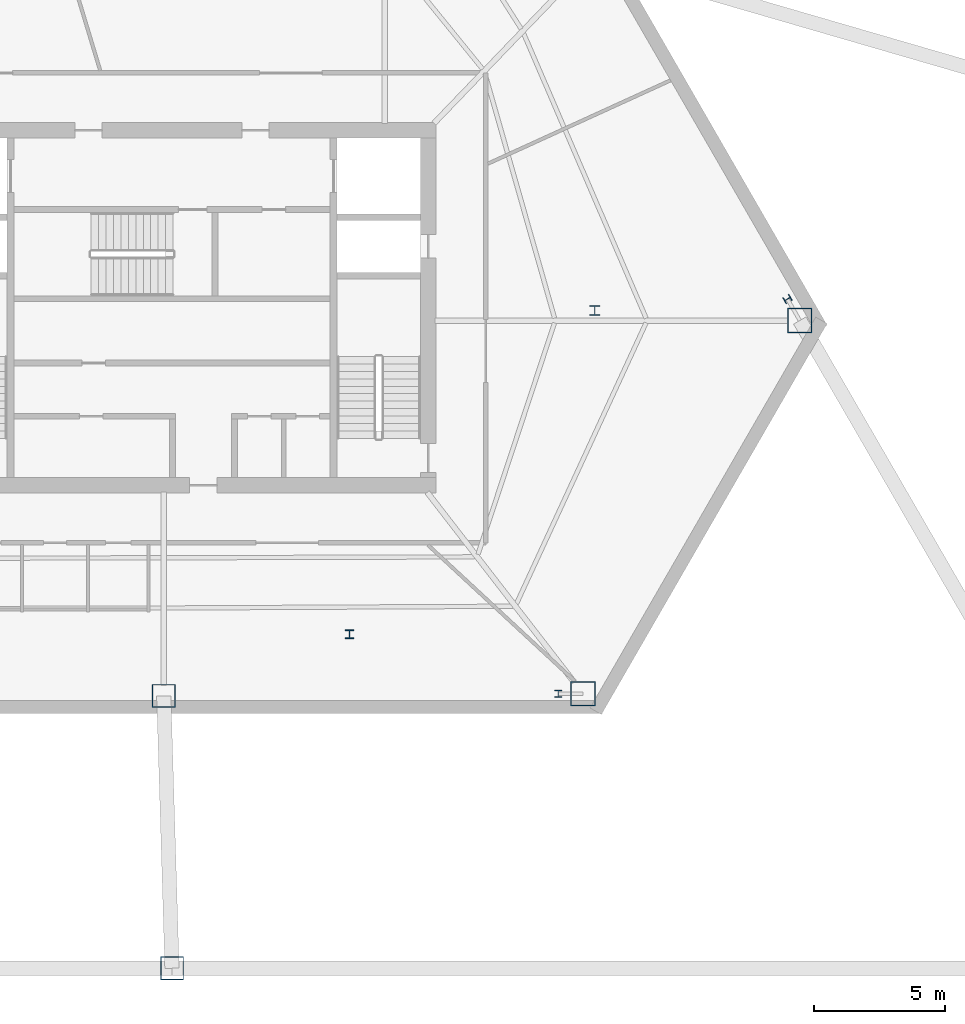
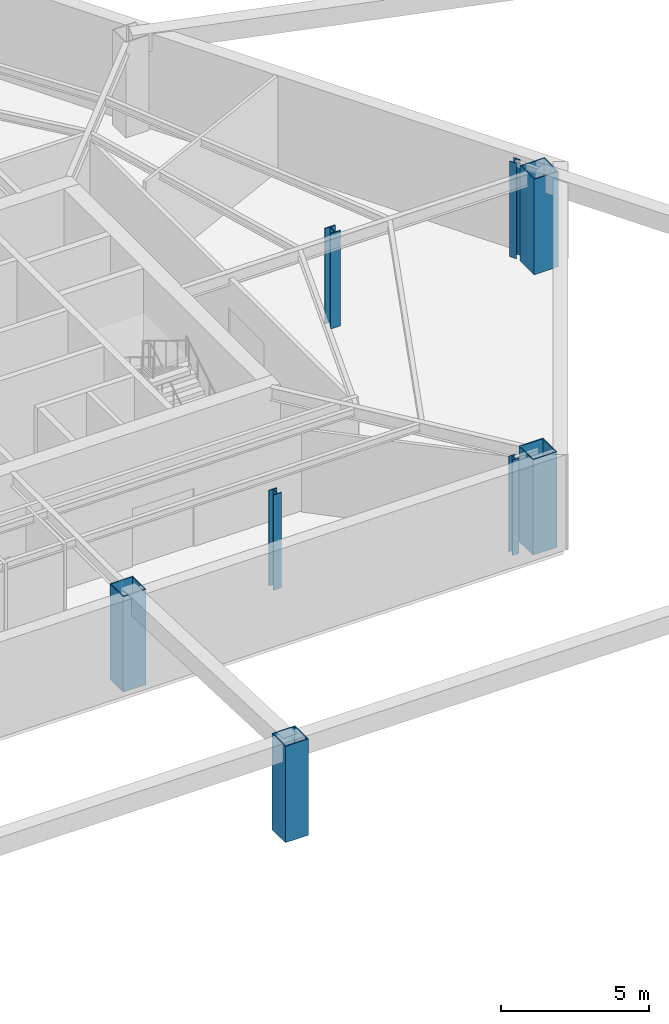
# One storey, part 2 of 8: 8 columns.
"""IFC4 building model written with IfcOpenShell, lengths in metres."""

from ifc_helpers import new_model, si_unit, direction, frame, origin, origin_2d, place, context, subcontext, project, spatial, hollow_rectangle, i_section, extrude, material, material_profile, profile_set, type_object, element, save


model = new_model("IFC4")

# Units and contexts
model_context = context("Model", 3, precision=1e-05, world=origin(), true_north=direction((0.0, 1.0)))
body_context = subcontext(model_context, "Body", "Model", "MODEL_VIEW")
ifc_project = project(units=[si_unit("LENGTHUNIT", "METRE"), si_unit("AREAUNIT", "SQUARE_METRE"), si_unit("VOLUMEUNIT", "CUBIC_METRE"), si_unit("PLANEANGLEUNIT", "RADIAN"), si_unit("MASSUNIT", "GRAM", prefix="KILO")], contexts=[model_context])

# Site, building, storey
site_placement = place(None, origin())
site = spatial("IfcSite", under=ifc_project, at=site_placement, CompositionType="ELEMENT")
building_placement = place(site_placement, origin())
building = spatial("IfcBuilding", under=site, at=building_placement, Name="Kavelnor Concourse Tower", CompositionType="ELEMENT")
storey_placement = place(building_placement, frame((0.0, 0.0, -4.199951171875)))
storey = spatial("IfcBuildingStorey", under=building, at=storey_placement, Name="B01", CompositionType="ELEMENT", Elevation=-4.199951171875)

# Columns
ifc_material = material(Name="Steel Grade 350", Category="steel")
ifc_material_profile_1 = material_profile(ifc_material, i_section(OverallWidth=0.31396484375, OverallDepth=0.340087890625, WebThickness=0.01904296875, FlangeThickness=0.031494140625, at=origin_2d()), Name="UC 305x305x198")
ifc_profile_set_1 = profile_set([ifc_material_profile_1], Name="Steel Grade 350")
column_type_1 = type_object("IfcColumnType", Name="COL-INT-UC305", PredefinedType="COLUMN", material=ifc_profile_set_1)
column_1_placement = place(storey_placement, frame((44.800048828125, 3.60009765625, 0.0), z_axis=(0.0, 0.0, 1.0), x_axis=(1.0, 0.0, 0.0)))
element("IfcColumn", 1, at=column_1_placement, inside=storey, type_object=column_type_1, Name="B01 Interior Column BC-SE", PredefinedType="COLUMN", context=body_context, shape_type="SweptSolid", body=[
    extrude(i_section(OverallWidth=0.31396484375, OverallDepth=0.340087890625, WebThickness=0.01904296875, FlangeThickness=0.031494140625, at=origin_2d()), origin(), (0.0, 0.0, 1.0), 3.93994140625),
])
ifc_material_profile_2 = material_profile(ifc_material, i_section(OverallWidth=0.39892578125, OverallDepth=0.39404296875, WebThickness=0.022705078125, FlangeThickness=0.03662109375, at=origin_2d()), Name="UC 356x406x287")
ifc_profile_set_2 = profile_set([ifc_material_profile_2], Name="Steel Grade 350")
column_type_2 = type_object("IfcColumnType", Name="COL-INT-UC406", PredefinedType="COLUMN", material=ifc_profile_set_2)
column_2_placement = place(storey_placement, frame((54.199951171875, 16.0, 0.0), z_axis=(0.0, 0.0, 1.0), x_axis=(1.0, 0.0, 0.0)))
element("IfcColumn", 2, at=column_2_placement, inside=storey, type_object=column_type_2, Name="B01 Interior Column BC-E1", PredefinedType="COLUMN", context=body_context, shape_type="SweptSolid", body=[
    extrude(i_section(OverallWidth=0.39892578125, OverallDepth=0.39404296875, WebThickness=0.022705078125, FlangeThickness=0.03662109375, at=origin_2d()), origin(), (0.0, 0.0, 1.0), 3.93994140625),
])
ifc_material_profile_3 = material_profile(ifc_material, hollow_rectangle(XDim=0.89990234375, YDim=0.89990234375, WallThickness=0.0380859375, at=origin_2d()), Name="SHS 900x900x38")
ifc_profile_set_3 = profile_set([ifc_material_profile_3], Name="Steel Grade 350")
column_type_3 = type_object("IfcColumnType", Name="COL-MEGA-900", PredefinedType="COLUMN", material=ifc_profile_set_3)
column_3_placement = place(storey_placement, frame((37.68505859375, 1.22998046875, 0.0), z_axis=(0.0, 0.0, 1.0), x_axis=(1.0, 0.0, 0.0)))
element("IfcColumn", 3, at=column_3_placement, inside=storey, type_object=column_type_3, Name="B01 Perimeter Mega Column MC-F1", PredefinedType="COLUMN", context=body_context, shape_type="SweptSolid", body=[
    extrude(hollow_rectangle(XDim=0.89990234375, YDim=0.89990234375, WallThickness=0.0380859375, at=origin_2d()), origin(), (0.0, 0.0, 1.0), 3.93994140625),
])
column_4_placement = place(storey_placement, frame((38.0, -9.199951171875, 0.0), z_axis=(0.0, 0.0, 1.0), x_axis=(1.0, 0.0, 0.0)))
element("IfcColumn", 4, at=column_4_placement, inside=storey, type_object=column_type_3, Name="B01 Plaza Support Column PLZ-S", PredefinedType="COLUMN", context=body_context, shape_type="SweptSolid", body=[
    extrude(hollow_rectangle(XDim=0.89990234375, YDim=0.89990234375, WallThickness=0.0380859375, at=origin_2d()), origin(), (0.0, 0.0, 1.0), 3.97998046875),
])
ifc_material_profile_4 = material_profile(ifc_material, hollow_rectangle(XDim=0.949951171875, YDim=0.949951171875, WallThickness=0.0400390625, at=origin_2d()), Name="SHS 950x950x40")
ifc_profile_set_4 = profile_set([ifc_material_profile_4], Name="Steel Grade 350")
column_type_4 = type_object("IfcColumnType", Name="COL-MEGA-950", PredefinedType="COLUMN", material=ifc_profile_set_4)
for number, where, z_axis, x_axis, name in (
    (5, (53.74560546875, 1.317626953125, 0.0), (0.0, 0.0, 1.0), (1.0, 0.0, 0.0), "B01 Perimeter Mega Column MC-V4"),
    (6, (62.05078125, 15.61328125, 0.0), (0.0, 0.0, 1.0), (1.0, 0.0, 0.0), "B01 Perimeter Mega Column MC-V5"),
):
    element("IfcColumn", number, at=place(storey_placement, frame(where, z_axis=z_axis, x_axis=x_axis)), inside=storey, type_object=column_type_4, Name=name, PredefinedType="COLUMN", context=body_context, shape_type="SweptSolid", body=[
        extrude(hollow_rectangle(XDim=0.949951171875, YDim=0.949951171875, WallThickness=0.0400390625, at=origin_2d()), origin(), (0.0, 0.0, 1.0), 3.93994140625),
    ])
ifc_material_profile_5 = material_profile(ifc_material, i_section(OverallWidth=0.260986328125, OverallDepth=0.27587890625, WebThickness=0.015380859375, FlangeThickness=0.025390625, at=origin_2d()), Name="UC 254x254x132")
ifc_profile_set_5 = profile_set([ifc_material_profile_5], Name="Steel Grade 350")
column_type_5 = type_object("IfcColumnType", Name="COL-PILASTER-250", PredefinedType="PILASTER", material=ifc_profile_set_5)
for number, where, z_axis, x_axis, name in (
    (7, (52.79541015625, 1.3125, 0.0), (0.0, 0.0, 1.0), (0.999985363169, 0.005410494284, 0.0), "B01 Brick Pier Stiffener Pilaster F1-B"),
    (8, (61.578125, 16.437255859375, 0.0), (0.0, 0.0, 1.0), (-0.497579654441, 0.867418288651, 0.0), "B01 Brick Pier Stiffener Pilaster F2-A"),
):
    element("IfcColumn", number, at=place(storey_placement, frame(where, z_axis=z_axis, x_axis=x_axis)), inside=storey, type_object=column_type_5, Name=name, PredefinedType="PILASTER", context=body_context, shape_type="SweptSolid", body=[
        extrude(i_section(OverallWidth=0.260986328125, OverallDepth=0.27587890625, WebThickness=0.015380859375, FlangeThickness=0.025390625, at=origin_2d()), origin(), (0.0, 0.0, 1.0), 3.93994140625),
    ])

save(model, "model.ifc")
